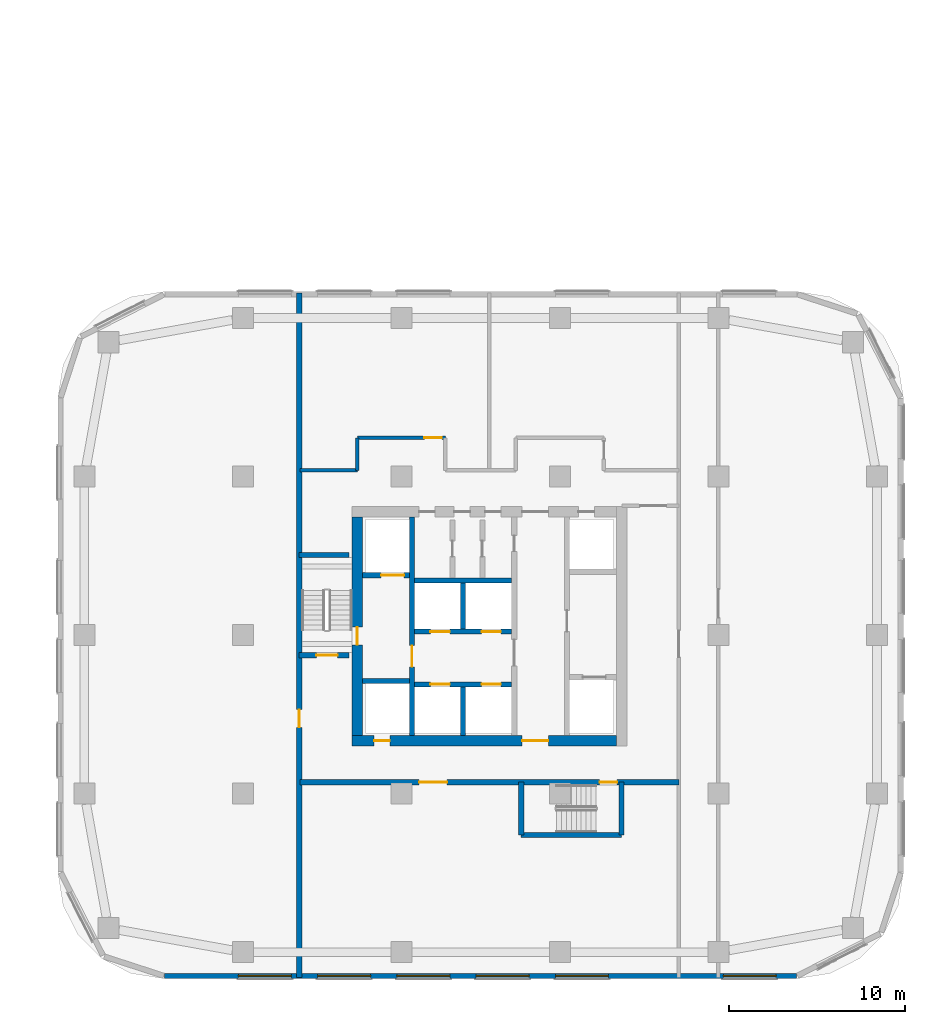
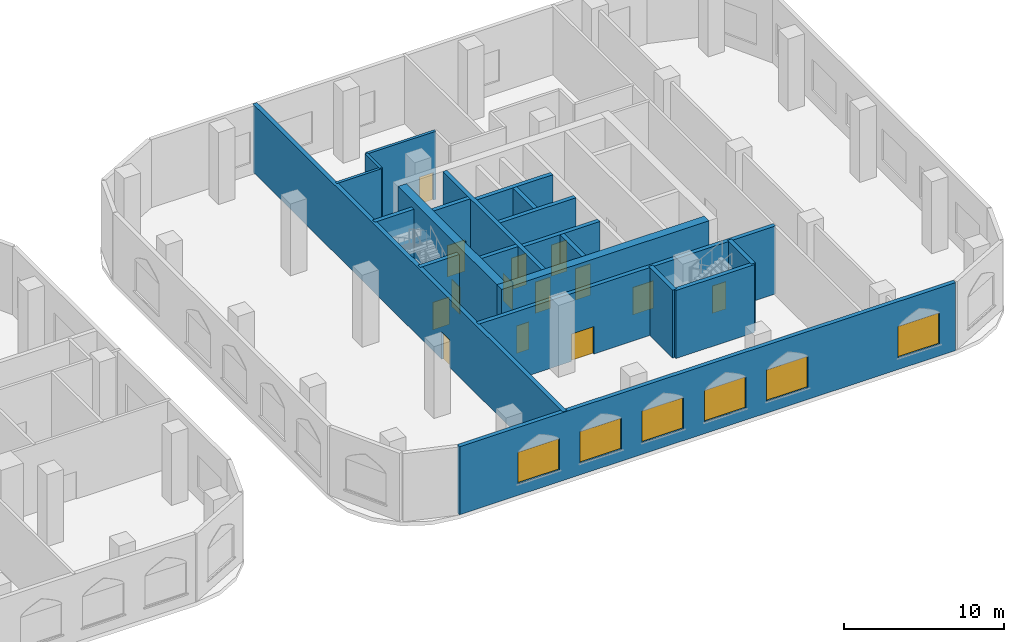
# One storey, part 9 of 31: 21 walls, 14 doors, 6 windows, 20 openings.
"""IFC4 building model written with IfcOpenShell, lengths in metres."""

from ifc_helpers import new_model, si_unit, direction, frame, frame_2d, origin, place, context, subcontext, project, spatial, rectangle, extrude, material, layer, layer_set, type_object, element, fill, save


model = new_model("IFC4")

# Units and contexts
model_context = context("Model", 3, precision=1e-05, world=origin(), true_north=direction((0.0, 1.0)))
body_context = subcontext(model_context, "Body", "Model", "MODEL_VIEW")
ifc_project = project(units=[si_unit("LENGTHUNIT", "METRE"), si_unit("AREAUNIT", "SQUARE_METRE"), si_unit("VOLUMEUNIT", "CUBIC_METRE"), si_unit("PLANEANGLEUNIT", "RADIAN"), si_unit("MASSUNIT", "GRAM", prefix="KILO")], contexts=[model_context])

# Site, building, storey
site_placement = place(None, origin())
site = spatial("IfcSite", under=ifc_project, at=site_placement, CompositionType="ELEMENT")
building_placement = place(site_placement, origin())
building = spatial("IfcBuilding", under=site, at=building_placement, Name="Ogive Portal Towers", CompositionType="ELEMENT")
storey_placement = place(building_placement, frame((0.0, 0.0, 8.0)))
storey = spatial("IfcBuildingStorey", under=building, at=storey_placement, Name="L01", CompositionType="ELEMENT", Elevation=8.0)

# Wall, opening, door
ifc_material_1 = material(Name="Concrete C60/75", Category="concrete")
ifc_layer_1 = layer(ifc_material_1, 0.300048828125)
ifc_layer_set_1 = layer_set([ifc_layer_1], Name="CORE WALL 300 C60")
wall_type_1 = type_object("IfcWallType", Name="CORE WALL 300 C60", PredefinedType="SHEAR", material=ifc_layer_set_1)
wall_1_placement = place(storey_placement, frame((132.10009765625, 24.800048828125, 0.0), z_axis=(0.0, 0.0, 1.0), x_axis=(0.0, 1.0, 0.0)))
wall_1 = element("IfcWall", 1, at=wall_1_placement, inside=storey, type_object=wall_type_1, Name="Tower B core wall BX1 L01", PredefinedType="SHEAR", context=body_context, shape_type="SweptSolid", body=[
    extrude(rectangle(XDim=12.39990234375, YDim=0.300048828125, at=frame_2d((6.199951171875, 0.0))), origin(), (0.0, 0.0, 1.0), 5.5),
])
opening_1_placement = place(wall_1_placement, frame((3.89990234375, 0.0, 0.0)))
opening_1 = element("IfcOpeningElement", 2, at=opening_1_placement, cuts=wall_1, Name="Opening P01-045", PredefinedType="OPENING", context=body_context, shape_type="SweptSolid", body=[
    extrude(rectangle(XDim=1.199951171875, YDim=2.10009765625, at=frame_2d((0.60009765625, 1.050048828125))), frame((0.0, 0.16015625, 0.0), z_axis=(0.0, -1.0, 0.0), x_axis=(1.0, 0.0, 0.0)), (0.0, 0.0, 1.0), 0.320068359375),
])
ifc_material_2 = material(Name="Steel fire door", Category="steel")
door_type_1 = type_object("IfcDoorType", Name="DT-SWING-1200x2100-FD90S", OperationType="SINGLE_SWING_LEFT", PredefinedType="DOOR", material=ifc_material_2)
door_1_placement = place(opening_1_placement, origin())
door_1 = element("IfcDoor", 3, at=door_1_placement, inside=storey, type_object=door_type_1, Name="Door P01-045", OperationType="SINGLE_SWING_LEFT", OverallHeight=2.10009765625, OverallWidth=1.199951171875, PredefinedType="DOOR", context=body_context, shape_type="SweptSolid", body=[
    extrude(rectangle(XDim=1.199951171875, YDim=2.10009765625, at=frame_2d((0.60009765625, 1.050048828125))), frame((0.0, 0.02490234375, 0.0), z_axis=(0.0, -1.0, 0.0), x_axis=(1.0, 0.0, 0.0)), (0.0, 0.0, 1.0), 0.050048828125),
])
fill(opening_1, door_1)

# Walls
wall_2_placement = place(storey_placement, frame((135.0, 24.800048828125, 0.0), z_axis=(0.0, 0.0, 1.0), x_axis=(0.0, 1.0, 0.0)))
element("IfcWall", 4, at=wall_2_placement, inside=storey, type_object=wall_type_1, Name="Tower B core wall BX4 L01", PredefinedType="SHEAR", context=body_context, shape_type="SweptSolid", body=[
    extrude(rectangle(XDim=2.75, YDim=0.300048828125, at=frame_2d((1.375, 0.0))), origin(), (0.0, 0.0, 1.0), 5.5),
])
wall_3_placement = place(storey_placement, frame((135.0, 30.85009765625, 0.0), z_axis=(0.0, 0.0, 1.0), x_axis=(0.0, 1.0, 0.0)))
element("IfcWall", 5, at=wall_3_placement, inside=storey, type_object=wall_type_1, Name="Tower B core wall BX5 L01", PredefinedType="SHEAR", context=body_context, shape_type="SweptSolid", body=[
    extrude(rectangle(XDim=2.599853515625, YDim=0.300048828125, at=frame_2d((1.2998046875, 0.0))), origin(), (0.0, 0.0, 1.0), 5.5),
])

# Wall, openings, doors
wall_4_placement = place(storey_placement, frame((132.25, 27.699951171875, 0.0), z_axis=(0.0, 0.0, 1.0), x_axis=(1.0, 0.0, 0.0)))
wall_4 = element("IfcWall", 6, at=wall_4_placement, inside=storey, type_object=wall_type_1, Name="Tower B core wall BY1 L01", PredefinedType="SHEAR", context=body_context, shape_type="SweptSolid", body=[
    extrude(rectangle(XDim=5.5, YDim=0.300048828125, at=frame_2d((2.75, 0.0))), origin(), (0.0, 0.0, 1.0), 5.5),
])
opening_2_placement = place(wall_4_placement, frame((0.89990234375, 0.0, 0.0)))
opening_2 = element("IfcOpeningElement", 7, at=opening_2_placement, cuts=wall_4, Name="Opening P01-052", PredefinedType="OPENING", context=body_context, shape_type="SweptSolid", body=[
    extrude(rectangle(XDim=1.10009765625, YDim=2.39990234375, at=frame_2d((0.550048828125, 1.199951171875))), frame((0.0, 0.16015625, 0.0), z_axis=(0.0, -1.0, 0.0), x_axis=(1.0, 0.0, 0.0)), (0.0, 0.0, 1.0), 0.320068359375),
])
opening_3_placement = place(wall_4_placement, frame((3.800048828125, 0.0, 0.0)))
opening_3 = element("IfcOpeningElement", 8, at=opening_3_placement, cuts=wall_4, Name="Opening P01-053", PredefinedType="OPENING", context=body_context, shape_type="SweptSolid", body=[
    extrude(rectangle(XDim=1.10009765625, YDim=2.39990234375, at=frame_2d((0.550048828125, 1.199951171875))), frame((0.0, 0.16015625, 0.0), z_axis=(0.0, -1.0, 0.0), x_axis=(1.0, 0.0, 0.0)), (0.0, 0.0, 1.0), 0.320068359375),
])
ifc_material_3 = material(Name="Stainless steel", Category="steel")
door_type_2 = type_object("IfcDoorType", Name="DT-LD-1100x2400", OperationType="SLIDING_TO_LEFT", PredefinedType="DOOR", material=ifc_material_3)
door_2_placement = place(opening_2_placement, origin())
door_2 = element("IfcDoor", 9, at=door_2_placement, inside=storey, type_object=door_type_2, Name="Door P01-052", OperationType="SLIDING_TO_LEFT", OverallHeight=2.39990234375, OverallWidth=1.10009765625, PredefinedType="DOOR", context=body_context, shape_type="SweptSolid", body=[
    extrude(rectangle(XDim=1.10009765625, YDim=2.39990234375, at=frame_2d((0.550048828125, 1.199951171875))), frame((0.0, 0.02490234375, 0.0), z_axis=(0.0, -1.0, 0.0), x_axis=(1.0, 0.0, 0.0)), (0.0, 0.0, 1.0), 0.050048828125),
])
fill(opening_2, door_2)
door_3_placement = place(opening_3_placement, origin())
door_3 = element("IfcDoor", 10, at=door_3_placement, inside=storey, type_object=door_type_2, Name="Door P01-053", OperationType="SLIDING_TO_LEFT", OverallHeight=2.39990234375, OverallWidth=1.10009765625, PredefinedType="DOOR", context=body_context, shape_type="SweptSolid", body=[
    extrude(rectangle(XDim=1.10009765625, YDim=2.39990234375, at=frame_2d((0.550048828125, 1.199951171875))), frame((0.0, 0.02490234375, 0.0), z_axis=(0.0, -1.0, 0.0), x_axis=(1.0, 0.0, 0.0)), (0.0, 0.0, 1.0), 0.050048828125),
])
fill(opening_3, door_3)

wall_5_placement = place(storey_placement, frame((132.25, 30.699951171875, 0.0), z_axis=(0.0, 0.0, 1.0), x_axis=(1.0, 0.0, 0.0)))
wall_5 = element("IfcWall", 11, at=wall_5_placement, inside=storey, type_object=wall_type_1, Name="Tower B core wall BY2 L01", PredefinedType="SHEAR", context=body_context, shape_type="SweptSolid", body=[
    extrude(rectangle(XDim=5.5, YDim=0.300048828125, at=frame_2d((2.75, 0.0))), origin(), (0.0, 0.0, 1.0), 5.5),
])
opening_4_placement = place(wall_5_placement, frame((0.89990234375, 0.0, 0.0)))
opening_4 = element("IfcOpeningElement", 12, at=opening_4_placement, cuts=wall_5, Name="Opening P01-054", PredefinedType="OPENING", context=body_context, shape_type="SweptSolid", body=[
    extrude(rectangle(XDim=1.10009765625, YDim=2.39990234375, at=frame_2d((0.550048828125, 1.199951171875))), frame((0.0, 0.16015625, 0.0), z_axis=(0.0, -1.0, 0.0), x_axis=(1.0, 0.0, 0.0)), (0.0, 0.0, 1.0), 0.320068359375),
])
opening_5_placement = place(wall_5_placement, frame((3.800048828125, 0.0, 0.0)))
opening_5 = element("IfcOpeningElement", 13, at=opening_5_placement, cuts=wall_5, Name="Opening P01-055", PredefinedType="OPENING", context=body_context, shape_type="SweptSolid", body=[
    extrude(rectangle(XDim=1.10009765625, YDim=2.39990234375, at=frame_2d((0.550048828125, 1.199951171875))), frame((0.0, 0.16015625, 0.0), z_axis=(0.0, -1.0, 0.0), x_axis=(1.0, 0.0, 0.0)), (0.0, 0.0, 1.0), 0.320068359375),
])
door_4_placement = place(opening_4_placement, origin())
door_4 = element("IfcDoor", 14, at=door_4_placement, inside=storey, type_object=door_type_2, Name="Door P01-054", OperationType="SLIDING_TO_LEFT", OverallHeight=2.39990234375, OverallWidth=1.10009765625, PredefinedType="DOOR", context=body_context, shape_type="SweptSolid", body=[
    extrude(rectangle(XDim=1.10009765625, YDim=2.39990234375, at=frame_2d((0.550048828125, 1.199951171875))), frame((0.0, 0.02490234375, 0.0), z_axis=(0.0, -1.0, 0.0), x_axis=(1.0, 0.0, 0.0)), (0.0, 0.0, 1.0), 0.050048828125),
])
fill(opening_4, door_4)
door_5_placement = place(opening_5_placement, origin())
door_5 = element("IfcDoor", 15, at=door_5_placement, inside=storey, type_object=door_type_2, Name="Door P01-055", OperationType="SLIDING_TO_LEFT", OverallHeight=2.39990234375, OverallWidth=1.10009765625, PredefinedType="DOOR", context=body_context, shape_type="SweptSolid", body=[
    extrude(rectangle(XDim=1.10009765625, YDim=2.39990234375, at=frame_2d((0.550048828125, 1.199951171875))), frame((0.0, 0.02490234375, 0.0), z_axis=(0.0, -1.0, 0.0), x_axis=(1.0, 0.0, 0.0)), (0.0, 0.0, 1.0), 0.050048828125),
])
fill(opening_5, door_5)

# Walls
wall_6_placement = place(storey_placement, frame((132.25, 33.60009765625, 0.0), z_axis=(0.0, 0.0, 1.0), x_axis=(1.0, 0.0, 0.0)))
element("IfcWall", 16, at=wall_6_placement, inside=storey, type_object=wall_type_1, Name="Tower B core wall BY3 L01", PredefinedType="SHEAR", context=body_context, shape_type="SweptSolid", body=[
    extrude(rectangle(XDim=5.5, YDim=0.300048828125, at=frame_2d((2.75, 0.0))), origin(), (0.0, 0.0, 1.0), 5.5),
])
wall_7_placement = place(storey_placement, frame((129.300048828125, 27.89990234375, 0.0), z_axis=(0.0, 0.0, 1.0), x_axis=(1.0, 0.0, 0.0)))
element("IfcWall", 17, at=wall_7_placement, inside=storey, type_object=wall_type_1, Name="Tower B core wall BY4 L01", PredefinedType="SHEAR", context=body_context, shape_type="SweptSolid", body=[
    extrude(rectangle(XDim=2.64990234375, YDim=0.300048828125, at=frame_2d((1.324951171875, 0.0))), origin(), (0.0, 0.0, 1.0), 5.5),
])

# Wall, opening, door
wall_8_placement = place(storey_placement, frame((129.300048828125, 33.89990234375, 0.0), z_axis=(0.0, 0.0, 1.0), x_axis=(1.0, 0.0, 0.0)))
wall_8 = element("IfcWall", 18, at=wall_8_placement, inside=storey, type_object=wall_type_1, Name="Tower B core wall BY5 L01", PredefinedType="SHEAR", context=body_context, shape_type="SweptSolid", body=[
    extrude(rectangle(XDim=2.64990234375, YDim=0.300048828125, at=frame_2d((1.324951171875, 0.0))), origin(), (0.0, 0.0, 1.0), 5.5),
])
opening_6_placement = place(wall_8_placement, frame((1.050048828125, 0.0, 0.0)))
opening_6 = element("IfcOpeningElement", 19, at=opening_6_placement, cuts=wall_8, Name="Opening P01-056", PredefinedType="OPENING", context=body_context, shape_type="SweptSolid", body=[
    extrude(rectangle(XDim=1.300048828125, YDim=2.39990234375, at=frame_2d((0.64990234375, 1.199951171875))), frame((0.0, 0.16015625, 0.0), z_axis=(0.0, -1.0, 0.0), x_axis=(1.0, 0.0, 0.0)), (0.0, 0.0, 1.0), 0.320068359375),
])
door_type_3 = type_object("IfcDoorType", Name="DT-LD-1300x2400", OperationType="SLIDING_TO_LEFT", PredefinedType="DOOR", material=ifc_material_3)
door_6_placement = place(opening_6_placement, origin())
door_6 = element("IfcDoor", 20, at=door_6_placement, inside=storey, type_object=door_type_3, Name="Door P01-056", OperationType="SLIDING_TO_LEFT", OverallHeight=2.39990234375, OverallWidth=1.300048828125, PredefinedType="DOOR", context=body_context, shape_type="SweptSolid", body=[
    extrude(rectangle(XDim=1.300048828125, YDim=2.39990234375, at=frame_2d((0.64990234375, 1.199951171875))), frame((0.0, 0.02490234375, 0.0), z_axis=(0.0, -1.0, 0.0), x_axis=(1.0, 0.0, 0.0)), (0.0, 0.0, 1.0), 0.050048828125),
])
fill(opening_6, door_6)

ifc_layer_2 = layer(ifc_material_1, 0.60009765625)
ifc_layer_set_2 = layer_set([ifc_layer_2], Name="CORE WALL 600 C60")
wall_type_2 = type_object("IfcWallType", Name="CORE WALL 600 C60", PredefinedType="SHEAR", material=ifc_layer_set_2)
wall_9_placement = place(storey_placement, frame((129.0, 24.800048828125, 0.0), z_axis=(0.0, 0.0, 1.0), x_axis=(0.0, 1.0, 0.0)))
wall_9 = element("IfcWall", 21, at=wall_9_placement, inside=storey, type_object=wall_type_2, Name="Tower B core wall BW L01", PredefinedType="SHEAR", context=body_context, shape_type="SweptSolid", body=[
    extrude(rectangle(XDim=12.39990234375, YDim=0.60009765625, at=frame_2d((6.199951171875, 0.0))), origin(), (0.0, 0.0, 1.0), 5.5),
])
opening_7_placement = place(wall_9_placement, frame((5.14990234375, 0.0, 0.0)))
opening_7 = element("IfcOpeningElement", 22, at=opening_7_placement, cuts=wall_9, Name="Opening P01-047", PredefinedType="OPENING", context=body_context, shape_type="SweptSolid", body=[
    extrude(rectangle(XDim=1.0, YDim=2.10009765625, at=frame_2d((0.5, 1.050048828125))), frame((0.0, 0.31005859375, 0.0), z_axis=(0.0, -1.0, 0.0), x_axis=(1.0, 0.0, 0.0)), (0.0, 0.0, 1.0), 0.6201171875),
])
door_type_4 = type_object("IfcDoorType", Name="DT-SWING-1000x2100-FD90S", OperationType="SINGLE_SWING_LEFT", PredefinedType="DOOR", material=ifc_material_2)
door_7_placement = place(opening_7_placement, origin())
door_7 = element("IfcDoor", 23, at=door_7_placement, inside=storey, type_object=door_type_4, Name="Door P01-047", OperationType="SINGLE_SWING_RIGHT", OverallHeight=2.10009765625, OverallWidth=1.0, PredefinedType="DOOR", context=body_context, shape_type="SweptSolid", body=[
    extrude(rectangle(XDim=1.0, YDim=2.10009765625, at=frame_2d((0.5, 1.050048828125))), frame((0.0, 0.02490234375, 0.0), z_axis=(0.0, -1.0, 0.0), x_axis=(1.0, 0.0, 0.0)), (0.0, 0.0, 1.0), 0.050048828125),
])
fill(opening_7, door_7)

# Wall, openings, doors
wall_10_placement = place(storey_placement, frame((128.699951171875, 24.5, 0.0), z_axis=(0.0, 0.0, 1.0), x_axis=(1.0, 0.0, 0.0)))
wall_10 = element("IfcWall", 24, at=wall_10_placement, inside=storey, type_object=wall_type_2, Name="Tower B core wall BS L01", PredefinedType="SHEAR", context=body_context, shape_type="SweptSolid", body=[
    extrude(rectangle(XDim=15.0, YDim=0.60009765625, at=frame_2d((7.5, 0.0))), origin(), (0.0, 0.0, 1.0), 5.5),
])
opening_8_placement = place(wall_10_placement, frame((9.64990234375, 0.0, 0.0)))
opening_8 = element("IfcOpeningElement", 25, at=opening_8_placement, cuts=wall_10, Name="Opening P01-048", PredefinedType="OPENING", context=body_context, shape_type="SweptSolid", body=[
    extrude(rectangle(XDim=1.5, YDim=2.10009765625, at=frame_2d((0.75, 1.050048828125))), frame((0.0, 0.31005859375, 0.0), z_axis=(0.0, -1.0, 0.0), x_axis=(1.0, 0.0, 0.0)), (0.0, 0.0, 1.0), 0.6201171875),
])
opening_9_placement = place(wall_10_placement, frame((1.25, 0.0, 0.0)))
opening_9 = element("IfcOpeningElement", 26, at=opening_9_placement, cuts=wall_10, Name="Opening P01-050", PredefinedType="OPENING", context=body_context, shape_type="SweptSolid", body=[
    extrude(rectangle(XDim=0.89990234375, YDim=2.10009765625, at=frame_2d((0.449951171875, 1.050048828125))), frame((0.0, 0.31005859375, 0.0), z_axis=(0.0, -1.0, 0.0), x_axis=(1.0, 0.0, 0.0)), (0.0, 0.0, 1.0), 0.6201171875),
])
door_type_5 = type_object("IfcDoorType", Name="DT-SWING-1500x2100-FD90S", OperationType="SINGLE_SWING_LEFT", PredefinedType="DOOR", material=ifc_material_2)
door_8_placement = place(opening_8_placement, origin())
door_8 = element("IfcDoor", 27, at=door_8_placement, inside=storey, type_object=door_type_5, Name="Door P01-048", OperationType="SINGLE_SWING_LEFT", OverallHeight=2.10009765625, OverallWidth=1.5, PredefinedType="DOOR", context=body_context, shape_type="SweptSolid", body=[
    extrude(rectangle(XDim=1.5, YDim=2.10009765625, at=frame_2d((0.75, 1.050048828125))), frame((0.0, 0.02490234375, 0.0), z_axis=(0.0, -1.0, 0.0), x_axis=(1.0, 0.0, 0.0)), (0.0, 0.0, 1.0), 0.050048828125),
])
fill(opening_8, door_8)
door_type_6 = type_object("IfcDoorType", Name="DT-SWING-900x2100-FD90S", OperationType="SINGLE_SWING_LEFT", PredefinedType="DOOR", material=ifc_material_2)
door_9_placement = place(opening_9_placement, origin())
door_9 = element("IfcDoor", 28, at=door_9_placement, inside=storey, type_object=door_type_6, Name="Riser access door P01-050", OperationType="SINGLE_SWING_LEFT", OverallHeight=2.10009765625, OverallWidth=0.89990234375, PredefinedType="DOOR", context=body_context, shape_type="SweptSolid", body=[
    extrude(rectangle(XDim=0.89990234375, YDim=2.10009765625, at=frame_2d((0.449951171875, 1.050048828125))), frame((0.0, 0.02490234375, 0.0), z_axis=(0.0, -1.0, 0.0), x_axis=(1.0, 0.0, 0.0)), (0.0, 0.0, 1.0), 0.050048828125),
])
fill(opening_9, door_9)

# Wall, openings, windows
ifc_material_4 = material(Name="Limestone cladding on lightweight block wall", Category="masonry")
ifc_layer_3 = layer(ifc_material_4, 0.300048828125)
ifc_layer_set_3 = layer_set([ifc_layer_3], Name="EXTERNAL WALL 300 STONE")
wall_type_3 = type_object("IfcWallType", Name="EXTERNAL WALL 300 STONE", PredefinedType="SOLIDWALL", material=ifc_layer_set_3)
wall_11_placement = place(storey_placement, frame((118.047607421875, 11.14990234375, 0.0), z_axis=(0.0, 0.0, 1.0), x_axis=(1.0, 0.0, 0.0)))
wall_11 = element("IfcWall", 29, at=wall_11_placement, inside=storey, type_object=wall_type_3, Name="B:L01:f02:w0", PredefinedType="SOLIDWALL", context=body_context, shape_type="SweptSolid", body=[
    extrude(rectangle(XDim=35.88037109375, YDim=0.300048828125, at=frame_2d((17.940185546875, 0.0))), origin(), (0.0, 0.0, 1.0), 5.199951171875),
])
opening_10_placement = place(wall_11_placement, frame((4.202392578125, 0.0, 0.89990234375)))
opening_10 = element("IfcOpeningElement", 30, at=opening_10_placement, cuts=wall_11, Name="Opening WN3", PredefinedType="OPENING", context=body_context, shape_type="SweptSolid", body=[
    extrude(rectangle(XDim=3.0, YDim=2.39990234375, at=frame_2d((1.5, 1.199951171875))), frame((0.0, 0.16015625, 0.0), z_axis=(0.0, -1.0, 0.0), x_axis=(1.0, 0.0, 0.0)), (0.0, 0.0, 1.0), 0.320068359375),
])
opening_11_placement = place(wall_11_placement, frame((8.702392578125, 0.0, 0.89990234375)))
opening_11 = element("IfcOpeningElement", 31, at=opening_11_placement, cuts=wall_11, Name="Opening WN3", PredefinedType="OPENING", context=body_context, shape_type="SweptSolid", body=[
    extrude(rectangle(XDim=3.0, YDim=2.39990234375, at=frame_2d((1.5, 1.199951171875))), frame((0.0, 0.16015625, 0.0), z_axis=(0.0, -1.0, 0.0), x_axis=(1.0, 0.0, 0.0)), (0.0, 0.0, 1.0), 0.320068359375),
])
opening_12_placement = place(wall_11_placement, frame((13.202392578125, 0.0, 0.89990234375)))
opening_12 = element("IfcOpeningElement", 32, at=opening_12_placement, cuts=wall_11, Name="Opening WN3", PredefinedType="OPENING", context=body_context, shape_type="SweptSolid", body=[
    extrude(rectangle(XDim=3.0, YDim=2.39990234375, at=frame_2d((1.5, 1.199951171875))), frame((0.0, 0.16015625, 0.0), z_axis=(0.0, -1.0, 0.0), x_axis=(1.0, 0.0, 0.0)), (0.0, 0.0, 1.0), 0.320068359375),
])
opening_13_placement = place(wall_11_placement, frame((17.702392578125, 0.0, 0.89990234375)))
opening_13 = element("IfcOpeningElement", 33, at=opening_13_placement, cuts=wall_11, Name="Opening WN3", PredefinedType="OPENING", context=body_context, shape_type="SweptSolid", body=[
    extrude(rectangle(XDim=3.0, YDim=2.39990234375, at=frame_2d((1.5, 1.199951171875))), frame((0.0, 0.16015625, 0.0), z_axis=(0.0, -1.0, 0.0), x_axis=(1.0, 0.0, 0.0)), (0.0, 0.0, 1.0), 0.320068359375),
])
opening_14_placement = place(wall_11_placement, frame((22.202392578125, 0.0, 0.89990234375)))
opening_14 = element("IfcOpeningElement", 34, at=opening_14_placement, cuts=wall_11, Name="Opening WN3", PredefinedType="OPENING", context=body_context, shape_type="SweptSolid", body=[
    extrude(rectangle(XDim=3.0, YDim=2.39990234375, at=frame_2d((1.5, 1.199951171875))), frame((0.0, 0.16015625, 0.0), z_axis=(0.0, -1.0, 0.0), x_axis=(1.0, 0.0, 0.0)), (0.0, 0.0, 1.0), 0.320068359375),
])
opening_15_placement = place(wall_11_placement, frame((31.726318359375, 0.0, 0.89990234375)))
opening_15 = element("IfcOpeningElement", 35, at=opening_15_placement, cuts=wall_11, Name="Opening WN3", PredefinedType="OPENING", context=body_context, shape_type="SweptSolid", body=[
    extrude(rectangle(XDim=3.0, YDim=2.39990234375, at=frame_2d((1.5, 1.199951171875))), frame((0.0, 0.16015625, 0.0), z_axis=(0.0, -1.0, 0.0), x_axis=(1.0, 0.0, 0.0)), (0.0, 0.0, 1.0), 0.320068359375),
])
ifc_material_5 = material(Name="Glass, clear low-iron insulated glazing", Category="glass")
window_type = type_object("IfcWindowType", Name="WINDOW PODIUM 3000x2400", PartitioningType="SINGLE_PANEL", PredefinedType="WINDOW", material=ifc_material_5)
window_1_placement = place(opening_10_placement, origin())
window_1 = element("IfcWindow", 36, at=window_1_placement, inside=storey, type_object=window_type, Name="B:L01:f02:w0:o1a", OverallHeight=2.39990234375, OverallWidth=3.0, PartitioningType="SINGLE_PANEL", PredefinedType="WINDOW", context=body_context, shape_type="SweptSolid", body=[
    extrude(rectangle(XDim=3.0, YDim=2.39990234375, at=frame_2d((1.5, 1.199951171875))), frame((0.0, 0.030029296875, 0.0), z_axis=(0.0, -1.0, 0.0), x_axis=(1.0, 0.0, 0.0)), (0.0, 0.0, 1.0), 0.06005859375),
])
fill(opening_10, window_1)
window_2_placement = place(opening_11_placement, origin())
window_2 = element("IfcWindow", 37, at=window_2_placement, inside=storey, type_object=window_type, Name="B:L01:f02:w0:o1b", OverallHeight=2.39990234375, OverallWidth=3.0, PartitioningType="SINGLE_PANEL", PredefinedType="WINDOW", context=body_context, shape_type="SweptSolid", body=[
    extrude(rectangle(XDim=3.0, YDim=2.39990234375, at=frame_2d((1.5, 1.199951171875))), frame((0.0, 0.030029296875, 0.0), z_axis=(0.0, -1.0, 0.0), x_axis=(1.0, 0.0, 0.0)), (0.0, 0.0, 1.0), 0.06005859375),
])
fill(opening_11, window_2)
window_3_placement = place(opening_12_placement, origin())
window_3 = element("IfcWindow", 38, at=window_3_placement, inside=storey, type_object=window_type, Name="B:L01:f02:w0:o2a", OverallHeight=2.39990234375, OverallWidth=3.0, PartitioningType="SINGLE_PANEL", PredefinedType="WINDOW", context=body_context, shape_type="SweptSolid", body=[
    extrude(rectangle(XDim=3.0, YDim=2.39990234375, at=frame_2d((1.5, 1.199951171875))), frame((0.0, 0.030029296875, 0.0), z_axis=(0.0, -1.0, 0.0), x_axis=(1.0, 0.0, 0.0)), (0.0, 0.0, 1.0), 0.06005859375),
])
fill(opening_12, window_3)
window_4_placement = place(opening_13_placement, origin())
window_4 = element("IfcWindow", 39, at=window_4_placement, inside=storey, type_object=window_type, Name="B:L01:f02:w0:o2b", OverallHeight=2.39990234375, OverallWidth=3.0, PartitioningType="SINGLE_PANEL", PredefinedType="WINDOW", context=body_context, shape_type="SweptSolid", body=[
    extrude(rectangle(XDim=3.0, YDim=2.39990234375, at=frame_2d((1.5, 1.199951171875))), frame((0.0, 0.030029296875, 0.0), z_axis=(0.0, -1.0, 0.0), x_axis=(1.0, 0.0, 0.0)), (0.0, 0.0, 1.0), 0.06005859375),
])
fill(opening_13, window_4)
window_5_placement = place(opening_14_placement, origin())
window_5 = element("IfcWindow", 40, at=window_5_placement, inside=storey, type_object=window_type, Name="B:L01:f02:w0:o3a", OverallHeight=2.39990234375, OverallWidth=3.0, PartitioningType="SINGLE_PANEL", PredefinedType="WINDOW", context=body_context, shape_type="SweptSolid", body=[
    extrude(rectangle(XDim=3.0, YDim=2.39990234375, at=frame_2d((1.5, 1.199951171875))), frame((0.0, 0.030029296875, 0.0), z_axis=(0.0, -1.0, 0.0), x_axis=(1.0, 0.0, 0.0)), (0.0, 0.0, 1.0), 0.06005859375),
])
fill(opening_14, window_5)
window_6_placement = place(opening_15_placement, origin())
window_6 = element("IfcWindow", 41, at=window_6_placement, inside=storey, type_object=window_type, Name="B:L01:f02:w0:o4", OverallHeight=2.39990234375, OverallWidth=3.0, PartitioningType="SINGLE_PANEL", PredefinedType="WINDOW", context=body_context, shape_type="SweptSolid", body=[
    extrude(rectangle(XDim=3.0, YDim=2.39990234375, at=frame_2d((1.5, 1.199951171875))), frame((0.0, 0.030029296875, 0.0), z_axis=(0.0, -1.0, 0.0), x_axis=(1.0, 0.0, 0.0)), (0.0, 0.0, 1.0), 0.06005859375),
])
fill(opening_15, window_6)

# Wall
ifc_material_6 = material(Name="Concrete C50/60", Category="concrete")
ifc_layer_4 = layer(ifc_material_6, 0.300048828125)
ifc_layer_set_4 = layer_set([ifc_layer_4], Name="STAIR WALL 300 C50")
wall_type_4 = type_object("IfcWallType", Name="STAIR WALL 300 C50", PredefinedType="SHEAR", material=ifc_layer_set_4)
wall_12_placement = place(storey_placement, frame((138.300048828125, 19.14990234375, 0.0), z_axis=(0.0, 0.0, 1.0), x_axis=(1.0, 0.0, 0.0)))
element("IfcWall", 42, at=wall_12_placement, inside=storey, type_object=wall_type_4, Name="Stair wall ST-B2 L01", PredefinedType="SHEAR", context=body_context, shape_type="SweptSolid", body=[
    extrude(rectangle(XDim=5.699951171875, YDim=0.300048828125, at=frame_2d((2.85009765625, 0.0))), origin(), (0.0, 0.0, 1.0), 5.199951171875),
])

# Wall, openings, doors
wall_13_placement = place(storey_placement, frame((125.75, 22.14990234375, 0.0), z_axis=(0.0, 0.0, 1.0), x_axis=(1.0, 0.0, 0.0)))
wall_13 = element("IfcWall", 43, at=wall_13_placement, inside=storey, type_object=wall_type_4, Name="Stair wall ST-B2 L01", PredefinedType="SHEAR", context=body_context, shape_type="SweptSolid", body=[
    extrude(rectangle(XDim=21.5, YDim=0.300048828125, at=frame_2d((10.75, 0.0))), origin(), (0.0, 0.0, 1.0), 5.199951171875),
])
opening_16_placement = place(wall_13_placement, frame((17.0, 0.0, 0.0)))
opening_16 = element("IfcOpeningElement", 44, at=opening_16_placement, cuts=wall_13, Name="Opening P01-035", PredefinedType="OPENING", context=body_context, shape_type="SweptSolid", body=[
    extrude(rectangle(XDim=1.0, YDim=2.10009765625, at=frame_2d((0.5, 1.050048828125))), frame((0.0, 0.16015625, 0.0), z_axis=(0.0, -1.0, 0.0), x_axis=(1.0, 0.0, 0.0)), (0.0, 0.0, 1.0), 0.320068359375),
])
opening_17_placement = place(wall_13_placement, frame((6.75, 0.0, 0.0)))
opening_17 = element("IfcOpeningElement", 45, at=opening_17_placement, cuts=wall_13, Name="Opening P01-041", PredefinedType="OPENING", context=body_context, shape_type="SweptSolid", body=[
    extrude(rectangle(XDim=1.60009765625, YDim=2.10009765625, at=frame_2d((0.800048828125, 1.050048828125))), frame((0.0, 0.16015625, 0.0), z_axis=(0.0, -1.0, 0.0), x_axis=(1.0, 0.0, 0.0)), (0.0, 0.0, 1.0), 0.320068359375),
])
door_10_placement = place(opening_16_placement, origin())
door_10 = element("IfcDoor", 46, at=door_10_placement, inside=storey, type_object=door_type_4, Name="Door P01-035", OperationType="SINGLE_SWING_LEFT", OverallHeight=2.10009765625, OverallWidth=1.0, PredefinedType="DOOR", context=body_context, shape_type="SweptSolid", body=[
    extrude(rectangle(XDim=1.0, YDim=2.10009765625, at=frame_2d((0.5, 1.050048828125))), frame((0.0, 0.02490234375, 0.0), z_axis=(0.0, -1.0, 0.0), x_axis=(1.0, 0.0, 0.0)), (0.0, 0.0, 1.0), 0.050048828125),
])
fill(opening_16, door_10)
door_type_7 = type_object("IfcDoorType", Name="DT-SWING-1600x2100-FD90S", OperationType="SINGLE_SWING_LEFT", PredefinedType="DOOR", material=ifc_material_2)
door_11_placement = place(opening_17_placement, origin())
door_11 = element("IfcDoor", 47, at=door_11_placement, inside=storey, type_object=door_type_7, Name="Door P01-041", OperationType="SINGLE_SWING_LEFT", OverallHeight=2.10009765625, OverallWidth=1.60009765625, PredefinedType="DOOR", context=body_context, shape_type="SweptSolid", body=[
    extrude(rectangle(XDim=1.60009765625, YDim=2.10009765625, at=frame_2d((0.800048828125, 1.050048828125))), frame((0.0, 0.02490234375, 0.0), z_axis=(0.0, -1.0, 0.0), x_axis=(1.0, 0.0, 0.0)), (0.0, 0.0, 1.0), 0.050048828125),
])
fill(opening_17, door_11)

# Wall, opening, door
wall_14_placement = place(storey_placement, frame((125.699951171875, 29.35009765625, 0.0), z_axis=(0.0, 0.0, 1.0), x_axis=(1.0, 0.0, 0.0)))
wall_14 = element("IfcWall", 48, at=wall_14_placement, inside=storey, type_object=wall_type_4, Name="Stair wall ST-B1 L01", PredefinedType="SHEAR", context=body_context, shape_type="SweptSolid", body=[
    extrude(rectangle(XDim=2.830078125, YDim=0.300048828125, at=frame_2d((1.4150390625, 0.0))), origin(), (0.0, 0.0, 1.0), 5.199951171875),
])
opening_18_placement = place(wall_14_placement, frame((0.97509765625, 0.0, 0.0)))
opening_18 = element("IfcOpeningElement", 49, at=opening_18_placement, cuts=wall_14, Name="Opening P01-034", PredefinedType="OPENING", context=body_context, shape_type="SweptSolid", body=[
    extrude(rectangle(XDim=1.199951171875, YDim=2.10009765625, at=frame_2d((0.60009765625, 1.050048828125))), frame((0.0, 0.16015625, 0.0), z_axis=(0.0, -1.0, 0.0), x_axis=(1.0, 0.0, 0.0)), (0.0, 0.0, 1.0), 0.320068359375),
])
door_12_placement = place(opening_18_placement, origin())
door_12 = element("IfcDoor", 50, at=door_12_placement, inside=storey, type_object=door_type_1, Name="Door P01-034", OperationType="SINGLE_SWING_RIGHT", OverallHeight=2.10009765625, OverallWidth=1.199951171875, PredefinedType="DOOR", context=body_context, shape_type="SweptSolid", body=[
    extrude(rectangle(XDim=1.199951171875, YDim=2.10009765625, at=frame_2d((0.60009765625, 1.050048828125))), frame((0.0, 0.02490234375, 0.0), z_axis=(0.0, -1.0, 0.0), x_axis=(1.0, 0.0, 0.0)), (0.0, 0.0, 1.0), 0.050048828125),
])
fill(opening_18, door_12)

# Wall
wall_15_placement = place(storey_placement, frame((125.699951171875, 35.050048828125, 0.0), z_axis=(0.0, 0.0, 1.0), x_axis=(1.0, 0.0, 0.0)))
element("IfcWall", 51, at=wall_15_placement, inside=storey, type_object=wall_type_4, Name="Stair wall ST-B1 L01", PredefinedType="SHEAR", context=body_context, shape_type="SweptSolid", body=[
    extrude(rectangle(XDim=2.830078125, YDim=0.300048828125, at=frame_2d((1.4150390625, 0.0))), origin(), (0.0, 0.0, 1.0), 5.199951171875),
])

# Wall, opening, door
wall_16_placement = place(storey_placement, frame((125.699951171875, 11.070068359375, 0.0), z_axis=(0.0, 0.0, 1.0), x_axis=(0.0, 1.0, 0.0)))
wall_16 = element("IfcWall", 52, at=wall_16_placement, inside=storey, type_object=wall_type_4, Name="Stair wall ST-B1 L01", PredefinedType="SHEAR", context=body_context, shape_type="SweptSolid", body=[
    extrude(rectangle(XDim=38.85986328125, YDim=0.300048828125, at=frame_2d((19.429931640625, 0.0))), origin(), (0.0, 0.0, 1.0), 5.199951171875),
])
opening_19_placement = place(wall_16_placement, frame((14.194091796875, 0.0, 0.0)))
opening_19 = element("IfcOpeningElement", 53, at=opening_19_placement, cuts=wall_16, Name="Opening P01-039", PredefinedType="OPENING", context=body_context, shape_type="SweptSolid", body=[
    extrude(rectangle(XDim=1.0, YDim=2.10009765625, at=frame_2d((0.5, 1.050048828125))), frame((0.0, 0.16015625, 0.0), z_axis=(0.0, -1.0, 0.0), x_axis=(1.0, 0.0, 0.0)), (0.0, 0.0, 1.0), 0.320068359375),
])
door_13_placement = place(opening_19_placement, origin())
door_13 = element("IfcDoor", 54, at=door_13_placement, inside=storey, type_object=door_type_4, Name="Door P01-039", OperationType="SINGLE_SWING_LEFT", OverallHeight=2.10009765625, OverallWidth=1.0, PredefinedType="DOOR", context=body_context, shape_type="SweptSolid", body=[
    extrude(rectangle(XDim=1.0, YDim=2.10009765625, at=frame_2d((0.5, 1.050048828125))), frame((0.0, 0.02490234375, 0.0), z_axis=(0.0, -1.0, 0.0), x_axis=(1.0, 0.0, 0.0)), (0.0, 0.0, 1.0), 0.050048828125),
])
fill(opening_19, door_13)

# Walls
for number, where, z_axis, x_axis, name in (
    (55, (138.300048828125, 19.14990234375, 0.0), (0.0, 0.0, 1.0), (0.0, 1.0, 0.0), "Stair wall ST-B2 L01"),
    (56, (144.0, 19.14990234375, 0.0), (0.0, 0.0, 1.0), (0.0, 1.0, 0.0), "Stair wall ST-B2 L01"),
):
    element("IfcWall", number, at=place(storey_placement, frame(where, z_axis=z_axis, x_axis=x_axis)), inside=storey, type_object=wall_type_4, Name=name, PredefinedType="SHEAR", context=body_context, shape_type="SweptSolid", body=[
        extrude(rectangle(XDim=3.0, YDim=0.300048828125, at=frame_2d((1.5, 0.0))), origin(), (0.0, 0.0, 1.0), 5.199951171875),
    ])
ifc_material_7 = material(Name="Gypsum board partition on steel studs", Category="steel")
ifc_layer_5 = layer(ifc_material_7, 0.199951171875)
ifc_layer_set_5 = layer_set([ifc_layer_5], Name="WT-PART-200-EI 60")
wall_type_5 = type_object("IfcWallType", Name="WT-PART-200-EI 60", PredefinedType="PARTITIONING", material=ifc_layer_set_5)
wall_17_placement = place(storey_placement, frame((125.75, 39.85009765625, 0.0), z_axis=(0.0, 0.0, 1.0), x_axis=(1.0, 0.0, 0.0)))
element("IfcWall", 57, at=wall_17_placement, inside=storey, type_object=wall_type_5, Name="Wall L01:w022", PredefinedType="PARTITIONING", context=body_context, shape_type="SweptSolid", body=[
    extrude(rectangle(XDim=3.25, YDim=0.199951171875, at=frame_2d((1.625, 0.0))), origin(), (0.0, 0.0, 1.0), 5.199951171875),
])

# Wall, opening, door
wall_18_placement = place(storey_placement, frame((129.0, 41.699951171875, 0.0), z_axis=(0.0, 0.0, 1.0), x_axis=(1.0, 0.0, 0.0)))
wall_18 = element("IfcWall", 58, at=wall_18_placement, inside=storey, type_object=wall_type_5, Name="Wall L01:w025", PredefinedType="PARTITIONING", context=body_context, shape_type="SweptSolid", body=[
    extrude(rectangle(XDim=5.0, YDim=0.199951171875, at=frame_2d((2.5, 0.0))), origin(), (0.0, 0.0, 1.0), 5.199951171875),
])
opening_20_placement = place(wall_18_placement, frame((3.800048828125, 0.0, 0.0)))
opening_20 = element("IfcOpeningElement", 59, at=opening_20_placement, cuts=wall_18, Name="Opening P01-042", PredefinedType="OPENING", context=body_context, shape_type="SweptSolid", body=[
    extrude(rectangle(XDim=1.0, YDim=2.10009765625, at=frame_2d((0.5, 1.050048828125))), frame((0.0, 0.10986328125, 0.0), z_axis=(0.0, -1.0, 0.0), x_axis=(1.0, 0.0, 0.0)), (0.0, 0.0, 1.0), 0.219970703125),
])
door_type_8 = type_object("IfcDoorType", Name="DT-SWING-1000x2100-FD60S", OperationType="SINGLE_SWING_LEFT", PredefinedType="DOOR", material=ifc_material_2)
door_14_placement = place(opening_20_placement, origin())
door_14 = element("IfcDoor", 60, at=door_14_placement, inside=storey, type_object=door_type_8, Name="Door P01-042", OperationType="SINGLE_SWING_RIGHT", OverallHeight=2.10009765625, OverallWidth=1.0, PredefinedType="DOOR", context=body_context, shape_type="SweptSolid", body=[
    extrude(rectangle(XDim=1.0, YDim=2.10009765625, at=frame_2d((0.5, 1.050048828125))), frame((0.0, 0.02490234375, 0.0), z_axis=(0.0, -1.0, 0.0), x_axis=(1.0, 0.0, 0.0)), (0.0, 0.0, 1.0), 0.050048828125),
])
fill(opening_20, door_14)

# Wall
wall_19_placement = place(storey_placement, frame((129.0, 39.85009765625, 0.0), z_axis=(0.0, 0.0, 1.0), x_axis=(0.0, 1.0, 0.0)))
element("IfcWall", 61, at=wall_19_placement, inside=storey, type_object=wall_type_5, Name="Wall L01:w051", PredefinedType="PARTITIONING", context=body_context, shape_type="SweptSolid", body=[
    extrude(rectangle(XDim=1.849853515625, YDim=0.199951171875, at=frame_2d((0.9248046875, 0.0))), origin(), (0.0, 0.0, 1.0), 5.199951171875),
])

save(model, "model.ifc")
